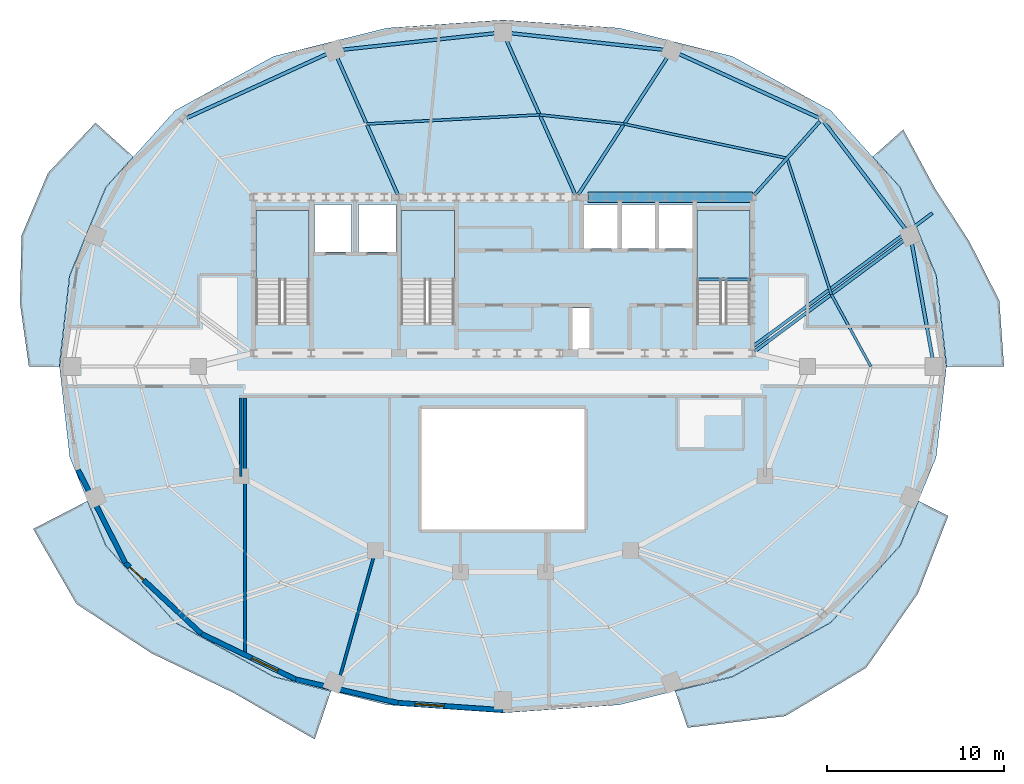
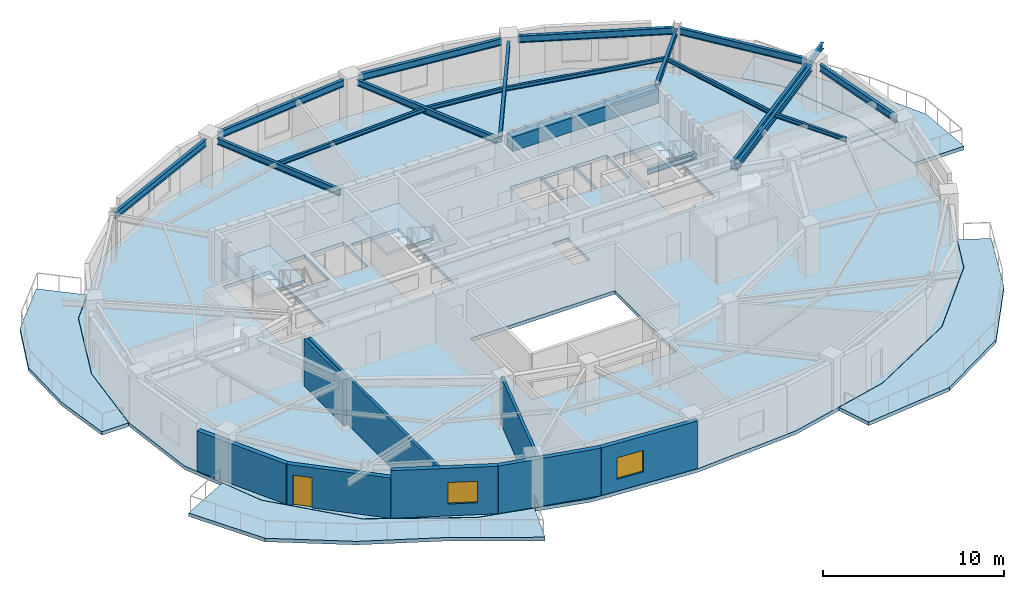
# One storey, part 3 of 10: 19 beams, 8 slabs, 8 walls, 2 windows, 1 door, 3 openings, 3 elements without a shape of their own.
"""IFC4 building model written with IfcOpenShell, lengths in metres."""

from ifc_helpers import new_model, si_unit, direction, frame, frame_2d, origin, origin_2d, place, context, subcontext, project, spatial, polyline, rectangle, i_section, outline, extrude, material, layer, layer_set, material_profile, profile_set, type_object, element, fill, aggregate, save


model = new_model("IFC4")

# Units and contexts
model_context = context("Model", 3, precision=1e-05, world=origin(), true_north=direction((0.0, 1.0)))
body_context = subcontext(model_context, "Body", "Model", "MODEL_VIEW")
ifc_project = project(units=[si_unit("LENGTHUNIT", "METRE"), si_unit("AREAUNIT", "SQUARE_METRE"), si_unit("VOLUMEUNIT", "CUBIC_METRE"), si_unit("PLANEANGLEUNIT", "RADIAN"), si_unit("MASSUNIT", "GRAM", prefix="KILO")], contexts=[model_context])

# Site, building, storey
site_placement = place(None, origin())
site = spatial("IfcSite", under=ifc_project, at=site_placement, CompositionType="ELEMENT")
building_placement = place(site_placement, origin())
building = spatial("IfcBuilding", under=site, at=building_placement, Name="Haldorwick Loom Tower", CompositionType="ELEMENT")
storey_placement = place(building_placement, frame((0.0, 0.0, 262.64990234375)))
storey = spatial("IfcBuildingStorey", under=building, at=storey_placement, Name="L71", CompositionType="ELEMENT", Elevation=262.64990234375)

# Beams
ifc_material_1 = material(Name="Steel CSA G40.21 350W", Category="steel")
ifc_material_profile_1 = material_profile(ifc_material_1, i_section(OverallWidth=0.179931640625, OverallDepth=0.4130859375, WebThickness=0.009765625, FlangeThickness=0.01611328125, at=origin_2d()), Name="W410X74", Category="steel")
ifc_profile_set_1 = profile_set([ifc_material_profile_1], Name="Steel CSA G40.21 350W")
beam_type_1 = type_object("IfcBeamType", Name="STR-BM-BAL410", PredefinedType="BEAM", material=ifc_profile_set_1)
beam_1_placement = place(storey_placement, frame((50.040771484375, 27.076904296875, 3.003662109375), z_axis=(0.802796921865, 0.596252549046, 0.0), x_axis=(-0.596252549046, 0.802796921865, 0.0)))
element("IfcBeam", 1, at=beam_1_placement, inside=storey, type_object=beam_type_1, Name="L71 Continuous Back-Spanned Balcony Beam 4", PredefinedType="BEAM", context=body_context, shape_type="SweptSolid", body=[
    extrude(i_section(OverallWidth=0.179931640625, OverallDepth=0.4130859375, WebThickness=0.009765625, FlangeThickness=0.01611328125, at=origin_2d()), origin(), (0.0, 0.0, 1.0), 12.7080078125),
])
ifc_material_2 = material(Name="Concrete C50 (50 MPa)", Category="concrete")
ifc_material_profile_2 = material_profile(ifc_material_2, rectangle(XDim=0.60009765625, YDim=0.949951171875, at=origin_2d()), Name="RC600X950", Category="concrete")
ifc_profile_set_2 = profile_set([ifc_material_profile_2], Name="Concrete C50 (50 MPa)")
beam_type_2 = type_object("IfcBeamType", Name="STR-BM-CB950", PredefinedType="LINTEL", material=ifc_profile_set_2)
beam_2_placement = place(storey_placement, frame((40.800048828125, 35.550048828125, 2.735107421875), z_axis=(1.0, 0.0, 0.0), x_axis=(0.0, 1.0, 0.0)))
element("IfcBeam", 2, at=beam_2_placement, inside=storey, type_object=beam_type_2, Name="L71 Core Coupling Beam CB-N3", PredefinedType="LINTEL", context=body_context, shape_type="SweptSolid", body=[
    extrude(rectangle(XDim=0.60009765625, YDim=0.949951171875, at=origin_2d()), origin(), (0.0, 0.0, 1.0), 9.300048828125),
])
ifc_material_profile_3 = material_profile(ifc_material_1, i_section(OverallWidth=0.14599609375, OverallDepth=0.258056640625, WebThickness=0.006103515625, FlangeThickness=0.009033203125, at=origin_2d()), Name="W250X33", Category="steel")
ifc_profile_set_3 = profile_set([ifc_material_profile_3], Name="Steel CSA G40.21 350W")
beam_type_3 = type_object("IfcBeamType", Name="STR-BM-J250", PredefinedType="JOIST", material=ifc_profile_set_3)
beam_3_placement = place(storey_placement, frame((56.768310546875, 26.0, 3.0810546875), z_axis=(-0.480863931781, 0.876795232145, 0.0), x_axis=(-0.876795232145, -0.480863931781, 0.0)))
element("IfcBeam", 3, at=beam_3_placement, inside=storey, type_object=beam_type_3, Name="L71 Mid-Bay Secondary Joist 1", PredefinedType="JOIST", context=body_context, shape_type="SweptSolid", body=[
    extrude(i_section(OverallWidth=0.14599609375, OverallDepth=0.258056640625, WebThickness=0.006103515625, FlangeThickness=0.009033203125, at=origin_2d()), origin(), (0.0, 0.0, 1.0), 4.639404296875),
])
beam_4_placement = place(storey_placement, frame((54.537353515625, 30.06787109375, 3.0810546875), z_axis=(-0.309277990337, 0.95097167397, 0.0), x_axis=(-0.95097167397, -0.309277990337, 0.0)))
element("IfcBeam", 4, at=beam_4_placement, inside=storey, type_object=beam_type_3, Name="L71 Mid-Bay Secondary Joist 2", PredefinedType="JOIST", context=body_context, shape_type="SweptSolid", body=[
    extrude(i_section(OverallWidth=0.14599609375, OverallDepth=0.258056640625, WebThickness=0.006103515625, FlangeThickness=0.009033203125, at=origin_2d()), origin(), (0.0, 0.0, 1.0), 8.08251953125),
])
beam_5_placement = place(storey_placement, frame((52.03759765625, 37.754150390625, 3.0810546875), z_axis=(-0.978553918403, 0.205990846344, 0.0), x_axis=(-0.205990846344, -0.978553918403, 0.0)))
element("IfcBeam", 5, at=beam_5_placement, inside=storey, type_object=beam_type_3, Name="L71 Mid-Bay Secondary Joist 3", PredefinedType="JOIST", context=body_context, shape_type="SweptSolid", body=[
    extrude(i_section(OverallWidth=0.14599609375, OverallDepth=0.258056640625, WebThickness=0.006103515625, FlangeThickness=0.009033203125, at=origin_2d()), origin(), (0.0, 0.0, 1.0), 9.39990234375),
])
beam_6_placement = place(storey_placement, frame((42.83935546875, 39.6904296875, 3.0810546875), z_axis=(-0.994216460534, 0.10739473732, 0.0), x_axis=(-0.10739473732, -0.994216460534, 0.0)))
element("IfcBeam", 6, at=beam_6_placement, inside=storey, type_object=beam_type_3, Name="L71 Mid-Bay Secondary Joist 4", PredefinedType="JOIST", context=body_context, shape_type="SweptSolid", body=[
    extrude(i_section(OverallWidth=0.14599609375, OverallDepth=0.258056640625, WebThickness=0.006103515625, FlangeThickness=0.009033203125, at=origin_2d()), origin(), (0.0, 0.0, 1.0), 4.792236328125),
])
beam_7_placement = place(storey_placement, frame((38.074951171875, 40.205078125, 3.0810546875), z_axis=(-0.998616726661, -0.052579779693, 0.0), x_axis=(0.052579779693, -0.998616726661, 0.0)))
element("IfcBeam", 7, at=beam_7_placement, inside=storey, type_object=beam_type_3, Name="L71 Mid-Bay Secondary Joist 5", PredefinedType="JOIST", context=body_context, shape_type="SweptSolid", body=[
    extrude(i_section(OverallWidth=0.14599609375, OverallDepth=0.258056640625, WebThickness=0.006103515625, FlangeThickness=0.009033203125, at=origin_2d()), origin(), (0.0, 0.0, 1.0), 9.787841796875),
])
ifc_material_profile_4 = material_profile(ifc_material_1, i_section(OverallWidth=0.179931640625, OverallDepth=0.4130859375, WebThickness=0.009765625, FlangeThickness=0.01611328125, at=origin_2d()), Name="W410X74", Category="steel")
ifc_profile_set_4 = profile_set([ifc_material_profile_4], Name="Steel CSA G40.21 350W")
beam_type_4 = type_object("IfcBeamType", Name="STR-BM-J410", PredefinedType="JOIST", material=ifc_profile_set_4)
beam_8_placement = place(storey_placement, frame((50.207763671875, 26.852294921875, 3.003662109375), z_axis=(0.802802773234, 0.596244670658, 0.0), x_axis=(-0.596244670658, 0.802802773234, 0.0)))
element("IfcBeam", 8, at=beam_8_placement, inside=storey, type_object=beam_type_4, Name="L71 Radial Floor Girder 2", PredefinedType="JOIST", context=body_context, shape_type="SweptSolid", body=[
    extrude(i_section(OverallWidth=0.179931640625, OverallDepth=0.4130859375, WebThickness=0.009765625, FlangeThickness=0.01611328125, at=origin_2d()), origin(), (0.0, 0.0, 1.0), 10.482666015625),
])
beam_9_placement = place(storey_placement, frame((50.18408203125, 35.677978515625, 3.003662109375), z_axis=(0.665970391236, 0.745978175282, 0.0), x_axis=(-0.745978175282, 0.665970391236, 0.0)))
element("IfcBeam", 9, at=beam_9_placement, inside=storey, type_object=beam_type_4, Name="L71 Radial Floor Girder 3", PredefinedType="JOIST", context=body_context, shape_type="SweptSolid", body=[
    extrude(i_section(OverallWidth=0.179931640625, OverallDepth=0.4130859375, WebThickness=0.009765625, FlangeThickness=0.01611328125, at=origin_2d()), origin(), (0.0, 0.0, 1.0), 5.559814453125),
])
beam_10_placement = place(storey_placement, frame((40.243408203125, 35.69384765625, 3.003662109375), z_axis=(0.544714921264, 0.838621281958, 0.0), x_axis=(-0.838621281958, 0.544714921264, 0.0)))
element("IfcBeam", 10, at=beam_10_placement, inside=storey, type_object=beam_type_4, Name="L71 Radial Floor Girder 4", PredefinedType="JOIST", context=body_context, shape_type="SweptSolid", body=[
    extrude(i_section(OverallWidth=0.179931640625, OverallDepth=0.4130859375, WebThickness=0.009765625, FlangeThickness=0.01611328125, at=origin_2d()), origin(), (0.0, 0.0, 1.0), 9.22802734375),
])
beam_11_placement = place(storey_placement, frame((40.080078125, 35.70654296875, 3.003662109375), z_axis=(-0.407125301808, 0.913372316543, 0.0), x_axis=(-0.913372316543, -0.407125301808, 0.0)))
element("IfcBeam", 11, at=beam_11_placement, inside=storey, type_object=beam_type_4, Name="L71 Radial Floor Girder 5", PredefinedType="JOIST", context=body_context, shape_type="SweptSolid", body=[
    extrude(i_section(OverallWidth=0.179931640625, OverallDepth=0.4130859375, WebThickness=0.009765625, FlangeThickness=0.01611328125, at=origin_2d()), origin(), (0.0, 0.0, 1.0), 9.546630859375),
])
beam_12_placement = place(storey_placement, frame((30.060791015625, 35.706787109375, 3.003662109375), z_axis=(-0.404157067806, 0.914689600106, 0.0), x_axis=(-0.914689600106, -0.404157067806, 0.0)))
element("IfcBeam", 12, at=beam_12_placement, inside=storey, type_object=beam_type_4, Name="L71 Radial Floor Girder 6", PredefinedType="JOIST", context=body_context, shape_type="SweptSolid", body=[
    extrude(i_section(OverallWidth=0.179931640625, OverallDepth=0.4130859375, WebThickness=0.009765625, FlangeThickness=0.01611328125, at=origin_2d()), origin(), (0.0, 0.0, 1.0), 8.406982421875),
])
ifc_material_profile_5 = material_profile(ifc_material_1, i_section(OverallWidth=0.193115234375, OverallDepth=0.466064453125, WebThickness=0.011474609375, FlangeThickness=0.01904296875, at=origin_2d()), Name="W460X97", Category="steel")
ifc_profile_set_5 = profile_set([ifc_material_profile_5], Name="Steel CSA G40.21 350W")
beam_type_5 = type_object("IfcBeamType", Name="STR-BM-SP460", PredefinedType="SPANDREL", material=ifc_profile_set_5)
beam_13_placement = place(storey_placement, frame((60.25244140625, 26.467529296875, 2.97705078125), z_axis=(-0.177515201984, 0.984118058499, 0.0), x_axis=(-0.984118058499, -0.177515201984, 0.0)))
element("IfcBeam", 13, at=beam_13_placement, inside=storey, type_object=beam_type_5, Name="L71 Perimeter Spandrel 1", PredefinedType="SPANDREL", context=body_context, shape_type="SweptSolid", body=[
    extrude(i_section(OverallWidth=0.193115234375, OverallDepth=0.466064453125, WebThickness=0.011474609375, FlangeThickness=0.01904296875, at=origin_2d()), origin(), (0.0, 0.0, 1.0), 6.5546875),
])
beam_14_placement = place(storey_placement, frame((58.717041015625, 33.763916015625, 2.97705078125), z_axis=(-0.605410439126, 0.795913437629, 0.0), x_axis=(-0.795913437629, -0.605410439126, 0.0)))
element("IfcBeam", 14, at=beam_14_placement, inside=storey, type_object=beam_type_5, Name="L71 Perimeter Spandrel 2", PredefinedType="SPANDREL", context=body_context, shape_type="SweptSolid", body=[
    extrude(i_section(OverallWidth=0.193115234375, OverallDepth=0.466064453125, WebThickness=0.011474609375, FlangeThickness=0.01904296875, at=origin_2d()), origin(), (0.0, 0.0, 1.0), 7.604736328125),
])
beam_15_placement = place(storey_placement, frame((53.84326171875, 40.0322265625, 2.97705078125), z_axis=(-0.909567887863, 0.415555360172, 0.0), x_axis=(-0.415555360172, -0.909567887863, 0.0)))
element("IfcBeam", 15, at=beam_15_placement, inside=storey, type_object=beam_type_5, Name="L71 Perimeter Spandrel 3", PredefinedType="SPANDREL", context=body_context, shape_type="SweptSolid", body=[
    extrude(i_section(OverallWidth=0.193115234375, OverallDepth=0.466064453125, WebThickness=0.011474609375, FlangeThickness=0.01904296875, at=origin_2d()), origin(), (0.0, 0.0, 1.0), 8.666259765625),
])
for number, where, z_axis, x_axis, name in (
    (16, (45.056396484375, 43.8818359375, 2.97705078125), (-0.994216353781, 0.107395725588, 0.0), (-0.107395725588, -0.994216353781, 0.0), "L71 Perimeter Spandrel 4"),
    (17, (35.527587890625, 44.80908203125, 2.97705078125), (-0.994216353781, -0.107395725588, 0.0), (0.107395725588, -0.994216353781, 0.0), "L71 Perimeter Spandrel 5"),
):
    element("IfcBeam", number, at=place(storey_placement, frame(where, z_axis=z_axis, x_axis=x_axis)), inside=storey, type_object=beam_type_5, Name=name, PredefinedType="SPANDREL", context=body_context, shape_type="SweptSolid", body=[
        extrude(i_section(OverallWidth=0.193115234375, OverallDepth=0.466064453125, WebThickness=0.011474609375, FlangeThickness=0.01904296875, at=origin_2d()), origin(), (0.0, 0.0, 1.0), 8.634033203125),
    ])
beam_16_placement = place(storey_placement, frame((26.039306640625, 43.633544921875, 2.97705078125), z_axis=(-0.909567887863, -0.415555360172, 0.0), x_axis=(0.415555360172, -0.909567887863, 0.0)))
element("IfcBeam", 18, at=beam_16_placement, inside=storey, type_object=beam_type_5, Name="L71 Perimeter Spandrel 6", PredefinedType="SPANDREL", context=body_context, shape_type="SweptSolid", body=[
    extrude(i_section(OverallWidth=0.193115234375, OverallDepth=0.466064453125, WebThickness=0.011474609375, FlangeThickness=0.01904296875, at=origin_2d()), origin(), (0.0, 0.0, 1.0), 8.666259765625),
])
ifc_material_profile_6 = material_profile(ifc_material_1, i_section(OverallWidth=0.166015625, OverallDepth=0.31298828125, WebThickness=0.006591796875, FlangeThickness=0.01123046875, at=origin_2d()), Name="W310X45", Category="steel")
ifc_profile_set_6 = profile_set([ifc_material_profile_6], Name="Steel CSA G40.21 350W")
beam_type_6 = type_object("IfcBeamType", Name="STR-BM-STRM", PredefinedType="BEAM", material=ifc_profile_set_6)
beam_17_placement = place(storey_placement, frame((46.889892578125, 30.919921875, 1.36865234375), z_axis=(1.0, 0.0, 0.0), x_axis=(0.0, 1.0, 0.0)))
element("IfcBeam", 19, at=beam_17_placement, inside=storey, type_object=beam_type_6, Name="L71 Stair ST-02 Half-Landing Trimmer 1", PredefinedType="BEAM", context=body_context, shape_type="SweptSolid", body=[
    extrude(i_section(OverallWidth=0.166015625, OverallDepth=0.31298828125, WebThickness=0.006591796875, FlangeThickness=0.01123046875, at=origin_2d()), origin(), (0.0, 0.0, 1.0), 3.1201171875),
])

# Slabs
ifc_material_3 = material(Name="Concrete C40 (40 MPa)", Category="concrete")
ifc_layer_1 = layer(ifc_material_3, 0.239990234375, Name="Concrete C40 (40 MPa)", Category="concrete")
ifc_layer_set_1 = layer_set([ifc_layer_1], Name="Concrete C40 (40 MPa)")
slab_type_1 = type_object("IfcSlabType", Name="STR-SLB-BAL240", PredefinedType="FLOOR", material=ifc_layer_set_1)
slab_1_placement = place(storey_placement, frame((0.0, 0.0, -0.239990234375)))
element("IfcSlab", 20, at=slab_1_placement, inside=storey, type_object=slab_type_1, Name="L71 Sinusoidal Balcony Terrace BAL_SE", PredefinedType="FLOOR", context=body_context, shape_type="SweptSolid", body=[
    extrude(outline(polyline([(59.460205078125, 18.407470703125), (58.427978515625, 15.88427734375), (58.427490234375, 15.883056640625), (58.4267578125, 15.882080078125), (58.426025390625, 15.881103515625), (58.42529296875, 15.8798828125), (54.51123046875, 11.53662109375), (54.51025390625, 11.535400390625), (54.5087890625, 11.534423828125), (54.50732421875, 11.53369140625), (48.947998046875, 8.475830078125), (48.947021484375, 8.475341796875), (48.94580078125, 8.474853515625), (48.9443359375, 8.474365234375), (45.718017578125, 7.668701171875), (46.41650390625, 5.607177734375), (51.93310546875, 6.259033203125), (56.5009765625, 8.985595703125), (59.41943359375, 13.173828125), (61.13818359375, 17.55810546875), (59.460205078125, 18.407470703125)])), origin(), (0.0, 0.0, 1.0), 0.239990234375),
])
slab_2_placement = place(storey_placement, frame((0.0, 0.0, -0.239990234375)))
element("IfcSlab", 21, at=slab_2_placement, inside=storey, type_object=slab_type_1, Name="L71 Sinusoidal Balcony Terrace BAL_SW", PredefinedType="FLOOR", context=body_context, shape_type="SweptSolid", body=[
    extrude(outline(polyline([(26.282958984375, 7.668701171875), (23.0556640625, 8.474365234375), (23.05419921875, 8.474853515625), (23.052978515625, 8.475341796875), (23.052001953125, 8.475830078125), (17.49267578125, 11.53369140625), (17.4912109375, 11.534423828125), (17.48974609375, 11.535400390625), (17.48876953125, 11.53662109375), (13.57470703125, 15.8798828125), (13.573974609375, 15.881103515625), (13.5732421875, 15.882080078125), (13.572509765625, 15.883056640625), (13.572021484375, 15.88427734375), (12.54052734375, 18.40576171875), (9.477294921875, 16.823974609375), (11.913330078125, 12.603271484375), (16.146240234375, 9.814208984375), (20.76220703125, 7.591064453125), (25.37060546875, 4.94921875), (26.282958984375, 7.668701171875)])), origin(), (0.0, 0.0, 1.0), 0.239990234375),
])
slab_3_placement = place(storey_placement, frame((0.0, 0.0, -0.239990234375)))
element("IfcSlab", 22, at=slab_3_placement, inside=storey, type_object=slab_type_1, Name="L71 Sinusoidal Balcony Terrace BAL_WNW", PredefinedType="FLOOR", context=body_context, shape_type="SweptSolid", body=[
    extrude(outline(polyline([(10.9482421875, 26.0), (10.9482421875, 26.001708984375), (11.529296875, 31.12109375), (11.529541015625, 31.12255859375), (11.530029296875, 31.123779296875), (11.530517578125, 31.125), (13.572021484375, 36.11572265625), (13.572509765625, 36.116943359375), (13.5732421875, 36.117919921875), (13.573974609375, 36.118896484375), (13.57470703125, 36.1201171875), (15.124755859375, 37.840087890625), (12.99462890625, 39.756103515625), (10.31298828125, 36.9169921875), (8.817626953125, 33.386474609375), (8.7333984375, 29.56591796875), (9.23681640625, 26.0), (10.9482421875, 26.0)])), origin(), (0.0, 0.0, 1.0), 0.239990234375),
])
slab_4_placement = place(storey_placement, frame((0.0, 0.0, -0.239990234375)))
element("IfcSlab", 23, at=slab_4_placement, inside=storey, type_object=slab_type_1, Name="L71 Sinusoidal Balcony Terrace BAL_ENE", PredefinedType="FLOOR", context=body_context, shape_type="SweptSolid", body=[
    extrude(outline(polyline([(56.875732421875, 37.839599609375), (58.42529296875, 36.1201171875), (58.426025390625, 36.118896484375), (58.4267578125, 36.117919921875), (58.427490234375, 36.116943359375), (58.427978515625, 36.11572265625), (60.469482421875, 31.125), (60.469970703125, 31.123779296875), (60.470458984375, 31.12255859375), (60.470703125, 31.12109375), (61.0517578125, 26.001708984375), (61.0517578125, 26.0), (64.286865234375, 26.0), (64.02001953125, 29.71875), (62.3388671875, 33.035400390625), (60.3818359375, 36.065673828125), (58.596435546875, 39.375732421875), (56.875732421875, 37.839599609375)])), origin(), (0.0, 0.0, 1.0), 0.239990234375),
])

# Stair, slab
stair_type = type_object("IfcStairType", Name="STR-STR-CORE", PredefinedType="HALF_TURN_STAIR", material=ifc_material_3)
stair_1_placement = place(storey_placement, origin())
stair_1 = element("IfcStair", 24, at=stair_1_placement, inside=storey, type_object=stair_type, Name="L71 Exit Stair ST-01", PredefinedType="HALF_TURN_STAIR")
ifc_layer_2 = layer(ifc_material_3, 0.199951171875, Name="Concrete C40 (40 MPa)", Category="concrete")
ifc_layer_set_2 = layer_set([ifc_layer_2], Name="Concrete C40 (40 MPa)")
slab_type_2 = type_object("IfcSlabType", Name="STR-SLB-LAND200", PredefinedType="LANDING", material=ifc_layer_set_2)
slab_5_placement = place(storey_placement, frame((0.0, 0.0, 1.525146484375)))
slab_5 = element("IfcSlab", 25, at=slab_5_placement, type_object=slab_type_2, Name="ST-01 landing 1", PredefinedType="LANDING", context=body_context, shape_type="SweptSolid", body=[
    extrude(outline(polyline([(25.050048828125, 30.919921875), (25.050048828125, 34.800048828125), (22.050048828125, 34.800048828125), (22.050048828125, 30.919921875), (25.050048828125, 30.919921875)])), origin(), (0.0, 0.0, 1.0), 0.199951171875),
])
aggregate(stair_1, [slab_5])

stair_2_placement = place(storey_placement, origin())
stair_2 = element("IfcStair", 26, at=stair_2_placement, inside=storey, type_object=stair_type, Name="L71 Exit Stair ST-02", PredefinedType="HALF_TURN_STAIR")
slab_6_placement = place(storey_placement, frame((0.0, 0.0, 1.525146484375)))
slab_6 = element("IfcSlab", 27, at=slab_6_placement, type_object=slab_type_2, Name="ST-02 landing 1", PredefinedType="LANDING", context=body_context, shape_type="SweptSolid", body=[
    extrude(outline(polyline([(49.949951171875, 30.919921875), (49.949951171875, 34.800048828125), (46.949951171875, 34.800048828125), (46.949951171875, 30.919921875), (49.949951171875, 30.919921875)])), origin(), (0.0, 0.0, 1.0), 0.199951171875),
])
aggregate(stair_2, [slab_6])

stair_3_placement = place(storey_placement, origin())
stair_3 = element("IfcStair", 28, at=stair_3_placement, inside=storey, type_object=stair_type, Name="L71 Exit Stair ST-03", PredefinedType="HALF_TURN_STAIR")
slab_7_placement = place(storey_placement, frame((0.0, 0.0, 1.525146484375)))
slab_7 = element("IfcSlab", 29, at=slab_7_placement, type_object=slab_type_2, Name="ST-03 landing 1", PredefinedType="LANDING", context=body_context, shape_type="SweptSolid", body=[
    extrude(outline(polyline([(33.25, 30.919921875), (33.25, 34.800048828125), (30.25, 34.800048828125), (30.25, 30.919921875), (33.25, 30.919921875)])), origin(), (0.0, 0.0, 1.0), 0.199951171875),
])
aggregate(stair_3, [slab_7])

# Slab
ifc_layer_3 = layer(ifc_material_3, 0.239990234375, Name="Concrete C40 (40 MPa)", Category="concrete")
ifc_layer_set_3 = layer_set([ifc_layer_3], Name="Concrete C40 (40 MPa)")
slab_type_3 = type_object("IfcSlabType", Name="STR-SLB-RES240", PredefinedType="FLOOR", material=ifc_layer_set_3)
slab_8_placement = place(storey_placement, frame((0.0, 0.0, -0.239990234375)))
element("IfcSlab", 30, at=slab_8_placement, inside=storey, type_object=slab_type_3, Name="L71 Residential Structural Floor Slab", PredefinedType="FLOOR", context=body_context, shape_type="SweptSolid", body=[
    extrude(outline(polyline([(54.500244140625, 11.546630859375), (58.4140625, 15.889892578125), (60.455810546875, 20.880615234375), (61.036865234375, 26.0), (60.455810546875, 31.119384765625), (58.4140625, 36.110107421875), (54.500244140625, 40.453369140625), (48.94091796875, 43.510986328125), (42.552978515625, 45.10595703125), (36.0, 45.56005859375), (29.447021484375, 45.10595703125), (23.05908203125, 43.510986328125), (17.499755859375, 40.453369140625), (13.5859375, 36.110107421875), (11.544189453125, 31.119384765625), (10.963134765625, 26.0), (11.544189453125, 20.880615234375), (13.5859375, 15.889892578125), (17.499755859375, 11.546630859375), (23.05908203125, 8.489013671875), (29.447021484375, 6.89404296875), (36.0, 6.43994140625), (42.552978515625, 6.89404296875), (48.94091796875, 8.489013671875), (54.500244140625, 11.546630859375)]), holes=[polyline([(31.39990234375, 16.800048828125), (31.39990234375, 23.60009765625), (40.60009765625, 23.60009765625), (40.60009765625, 16.800048828125), (31.39990234375, 16.800048828125)]), polyline([(40.89990234375, 26.89990234375), (39.89990234375, 26.89990234375), (39.89990234375, 29.300048828125), (40.89990234375, 29.300048828125), (40.89990234375, 26.89990234375)]), polyline([(23.6201171875, 28.39990234375), (22.050048828125, 28.39990234375), (22.050048828125, 34.800048828125), (25.050048828125, 34.800048828125), (25.050048828125, 28.639892578125), (23.6201171875, 28.639892578125), (23.6201171875, 28.39990234375)]), polyline([(30.25, 28.39990234375), (30.25, 34.800048828125), (33.25, 34.800048828125), (33.25, 28.639892578125), (31.820068359375, 28.639892578125), (31.820068359375, 28.39990234375), (30.25, 28.39990234375)]), polyline([(46.949951171875, 28.39990234375), (46.949951171875, 34.800048828125), (49.949951171875, 34.800048828125), (49.949951171875, 28.639892578125), (48.52001953125, 28.639892578125), (48.52001953125, 28.39990234375), (46.949951171875, 28.39990234375)]), polyline([(27.449951171875, 32.449951171875), (25.35009765625, 32.449951171875), (25.35009765625, 35.14990234375), (27.449951171875, 35.14990234375), (27.449951171875, 32.449951171875)]), polyline([(29.949951171875, 32.449951171875), (27.85009765625, 32.449951171875), (27.85009765625, 35.14990234375), (29.949951171875, 35.14990234375), (29.949951171875, 32.449951171875)]), polyline([(42.550048828125, 32.64990234375), (40.550048828125, 32.64990234375), (40.550048828125, 35.14990234375), (42.550048828125, 35.14990234375), (42.550048828125, 32.64990234375)]), polyline([(42.64990234375, 32.64990234375), (42.64990234375, 35.14990234375), (44.64990234375, 35.14990234375), (44.64990234375, 32.64990234375), (42.64990234375, 32.64990234375)]), polyline([(44.75, 32.64990234375), (44.75, 35.14990234375), (46.75, 35.14990234375), (46.75, 32.64990234375), (44.75, 32.64990234375)])]), origin(), (0.0, 0.0, 1.0), 0.239990234375),
])

# Wall
ifc_material_4 = material(Name="Pressed Clay Face Brick and Insulated Masonry Backup Assembly", Category="masonry")
ifc_layer_4 = layer(ifc_material_4, 0.280029296875, Name="Pressed Clay Face Brick and Insulated Masonry Backup Assembly", Category="masonry")
ifc_layer_set_4 = layer_set([ifc_layer_4], Name="Pressed Clay Face Brick and Insulated Masonry Backup Assembly")
wall_type_1 = type_object("IfcWallType", Name="ARC-WL-EXT280", PredefinedType="STANDARD", material=ifc_layer_set_4)
wall_1_placement = place(storey_placement, frame((12.013671875, 20.151123046875, 0.0), z_axis=(0.0, 0.0, 1.0), x_axis=(0.453100705059, -0.89145933787, 0.0)))
element("IfcWall", 31, at=wall_1_placement, inside=storey, type_object=wall_type_1, Name="L71 Brick Pier and Spandrel Wall 14", PredefinedType="STANDARD", context=body_context, shape_type="SweptSolid", body=[
    extrude(rectangle(XDim=5.879150390625, YDim=0.280029296875, at=frame_2d((2.939453125, 0.0))), origin(), (0.0, 0.0, 1.0), 2.718994140625),
])

# Wall, opening, door
wall_2_placement = place(storey_placement, frame((14.677490234375, 14.91015625, 0.0), z_axis=(0.0, 0.0, 1.0), x_axis=(0.731924682982, -0.68138554317, 0.0)))
wall_2 = element("IfcWall", 32, at=wall_2_placement, inside=storey, type_object=wall_type_1, Name="L71 Brick Pier and Spandrel Wall 15", PredefinedType="STANDARD", context=body_context, shape_type="SweptSolid", body=[
    extrude(rectangle(XDim=5.87890625, YDim=0.280029296875, at=frame_2d((2.939453125, 0.0))), origin(), (0.0, 0.0, 1.0), 2.718994140625),
])
opening_1_placement = place(wall_2_placement, frame((0.340087890625, 0.0, 0.0)))
opening_1 = element("IfcOpeningElement", 33, at=opening_1_placement, cuts=wall_2, Name="Opening D-BL11", PredefinedType="OPENING", context=body_context, shape_type="SweptSolid", body=[
    extrude(rectangle(XDim=1.080078125, YDim=2.0400390625, at=frame_2d((0.5400390625, 1.02001953125))), frame((0.0, 0.14990234375, 0.0), z_axis=(0.0, -1.0, 0.0), x_axis=(1.0, 0.0, 0.0)), (0.0, 0.0, 1.0), 0.300048828125),
])
ifc_material_5 = material(Name="Thermally Broken Anodized Aluminium Curtain Wall Framing", Category="aluminium")
door_type = type_object("IfcDoorType", Name="ARC-DR-BAL110", OperationType="NOTDEFINED", PredefinedType="DOOR", material=ifc_material_5)
door_placement = place(opening_1_placement, origin())
door = element("IfcDoor", 34, at=door_placement, inside=storey, type_object=door_type, Name="L71 Outdoor Terrace Door SLB-L71-BAL_SW", OperationType="SINGLE_SWING_LEFT", OverallHeight=2.0400390625, OverallWidth=1.080078125, PredefinedType="DOOR", context=body_context, shape_type="SweptSolid", body=[
    extrude(rectangle(XDim=1.080078125, YDim=2.0400390625, at=frame_2d((0.5400390625, 1.02001953125))), frame((0.0, 0.02490234375, 0.0), z_axis=(0.0, -1.0, 0.0), x_axis=(1.0, 0.0, 0.0)), (0.0, 0.0, 1.0), 0.050048828125),
])
fill(opening_1, door)

# Wall, opening, window
wall_3_placement = place(storey_placement, frame((18.98046875, 10.904296875, 0.0), z_axis=(0.0, 0.0, 1.0), x_axis=(0.900481907967, -0.434893473651, 0.0)))
wall_3 = element("IfcWall", 35, at=wall_3_placement, inside=storey, type_object=wall_type_1, Name="L71 Brick Pier and Spandrel Wall 16", PredefinedType="STANDARD", context=body_context, shape_type="SweptSolid", body=[
    extrude(rectangle(XDim=5.90966796875, YDim=0.280029296875, at=frame_2d((2.954833984375, 0.0))), origin(), (0.0, 0.0, 1.0), 3.210205078125),
])
opening_2_placement = place(wall_3_placement, frame((3.14404296875, 0.0, 0.800048828125)))
opening_2 = element("IfcOpeningElement", 36, at=opening_2_placement, cuts=wall_3, Name="Opening W-01B", PredefinedType="OPENING", context=body_context, shape_type="SweptSolid", body=[
    extrude(rectangle(XDim=1.64990234375, YDim=1.449951171875, at=frame_2d((0.824951171875, 0.72509765625))), frame((0.0, 0.14990234375, 0.0), z_axis=(0.0, -1.0, 0.0), x_axis=(1.0, 0.0, 0.0)), (0.0, 0.0, 1.0), 0.300048828125),
])
ifc_material_6 = material(Name="Triple-Glazed Low-E Argon Insulated Glazing Unit", Category="glass")
window_type = type_object("IfcWindowType", Name="ARC-WIN-W165", PartitioningType="SINGLE_PANEL", PredefinedType="WINDOW", material=ifc_material_6)
window_1_placement = place(opening_2_placement, origin())
window_1 = element("IfcWindow", 37, at=window_1_placement, inside=storey, type_object=window_type, Name="L71 Deep-Set Zone 7A Window 16", OverallHeight=1.449951171875, OverallWidth=1.64990234375, PartitioningType="SINGLE_PANEL", PredefinedType="WINDOW", context=body_context, shape_type="SweptSolid", body=[
    extrude(rectangle(XDim=1.64990234375, YDim=1.449951171875, at=frame_2d((0.824951171875, 0.72509765625))), frame((0.0, 0.030029296875, 0.0), z_axis=(0.0, -1.0, 0.0), x_axis=(1.0, 0.0, 0.0)), (0.0, 0.0, 1.0), 0.06005859375),
])
fill(opening_2, window_1)

# Wall
wall_4_placement = place(storey_placement, frame((24.302001953125, 8.334228515625, 0.0), z_axis=(0.0, 0.0, 1.0), x_axis=(0.974589984037, -0.223996345987, 0.0)))
element("IfcWall", 38, at=wall_4_placement, inside=storey, type_object=wall_type_1, Name="L71 Brick Pier and Spandrel Wall 17", PredefinedType="STANDARD", context=body_context, shape_type="SweptSolid", body=[
    extrude(rectangle(XDim=5.92919921875, YDim=0.280029296875, at=frame_2d((2.964599609375, 0.0))), origin(), (0.0, 0.0, 1.0), 3.210205078125),
])

# Wall, opening, window
wall_5_placement = place(storey_placement, frame((30.08056640625, 7.006103515625, 0.0), z_axis=(0.0, 0.0, 1.0), x_axis=(0.997656066566, -0.068427865986, 0.0)))
wall_5 = element("IfcWall", 39, at=wall_5_placement, inside=storey, type_object=wall_type_1, Name="L71 Brick Pier and Spandrel Wall 18", PredefinedType="STANDARD", context=body_context, shape_type="SweptSolid", body=[
    extrude(rectangle(XDim=5.933349609375, YDim=0.280029296875, at=frame_2d((2.966796875, 0.0))), origin(), (0.0, 0.0, 1.0), 3.210205078125),
])
opening_3_placement = place(wall_5_placement, frame((0.955078125, 0.0, 0.800048828125)))
opening_3 = element("IfcOpeningElement", 40, at=opening_3_placement, cuts=wall_5, Name="Opening W-01B", PredefinedType="OPENING", context=body_context, shape_type="SweptSolid", body=[
    extrude(rectangle(XDim=1.64990234375, YDim=1.449951171875, at=frame_2d((0.824951171875, 0.72509765625))), frame((0.0, 0.14990234375, 0.0), z_axis=(0.0, -1.0, 0.0), x_axis=(1.0, 0.0, 0.0)), (0.0, 0.0, 1.0), 0.300048828125),
])
window_2_placement = place(opening_3_placement, origin())
window_2 = element("IfcWindow", 41, at=window_2_placement, inside=storey, type_object=window_type, Name="L71 Deep-Set Zone 7A Window 18", OverallHeight=1.449951171875, OverallWidth=1.64990234375, PartitioningType="SINGLE_PANEL", PredefinedType="WINDOW", context=body_context, shape_type="SweptSolid", body=[
    extrude(rectangle(XDim=1.64990234375, YDim=1.449951171875, at=frame_2d((0.824951171875, 0.72509765625))), frame((0.0, 0.030029296875, 0.0), z_axis=(0.0, -1.0, 0.0), x_axis=(1.0, 0.0, 0.0)), (0.0, 0.0, 1.0), 0.06005859375),
])
fill(opening_3, window_2)

# Walls
ifc_material_7 = material(Name="Fire-Rated Type X Gypsum Stud Assembly EI 60")
ifc_layer_5 = layer(ifc_material_7, 0.159912109375, Name="Fire-Rated Type X Gypsum Stud Assembly EI 60")
ifc_layer_set_5 = layer_set([ifc_layer_5], Name="Fire-Rated Type X Gypsum Stud Assembly EI 60")
wall_type_2 = type_object("IfcWallType", Name="ARC-WL-FIRE160", PredefinedType="PARTITIONING", material=ifc_layer_set_5)
wall_6_placement = place(storey_placement, frame((28.800048828125, 15.60009765625, 0.0), z_axis=(0.0, 0.0, 1.0), x_axis=(-0.270518178494, -0.96271486698, 0.0)))
element("IfcWall", 42, at=wall_6_placement, inside=storey, type_object=wall_type_2, Name="L71 Residential Fire Partition L71-ICR-07", PredefinedType="PARTITIONING", context=body_context, shape_type="SweptSolid", body=[
    extrude(rectangle(XDim=8.052978515625, YDim=0.159912109375, at=frame_2d((4.0263671875, 0.0))), origin(), (0.0, 0.0, 1.0), 3.195068359375),
])
wall_7_placement = place(storey_placement, frame((21.199951171875, 24.217041015625, 0.0), z_axis=(0.0, 0.0, 1.0), x_axis=(0.0, -1.0, 0.0)))
element("IfcWall", 43, at=wall_7_placement, inside=storey, type_object=wall_type_2, Name="L71 Residential Fire Partition L71-ICA-08", PredefinedType="PARTITIONING", context=body_context, shape_type="SweptSolid", body=[
    extrude(rectangle(XDim=4.4169921875, YDim=0.159912109375, at=frame_2d((2.20849609375, 0.0))), origin(), (0.0, 0.0, 1.0), 3.195068359375),
])
wall_8_placement = place(storey_placement, frame((21.436279296875, 24.217041015625, 0.0), z_axis=(0.0, 0.0, 1.0), x_axis=(0.0, -1.0, 0.0)))
element("IfcWall", 44, at=wall_8_placement, inside=storey, type_object=wall_type_2, Name="L71 Suite Split Wall", PredefinedType="PARTITIONING", context=body_context, shape_type="SweptSolid", body=[
    extrude(rectangle(XDim=14.44873046875, YDim=0.159912109375, at=frame_2d((7.224365234375, 0.0))), origin(), (0.0, 0.0, 1.0), 3.195068359375),
])

save(model, "model.ifc")
